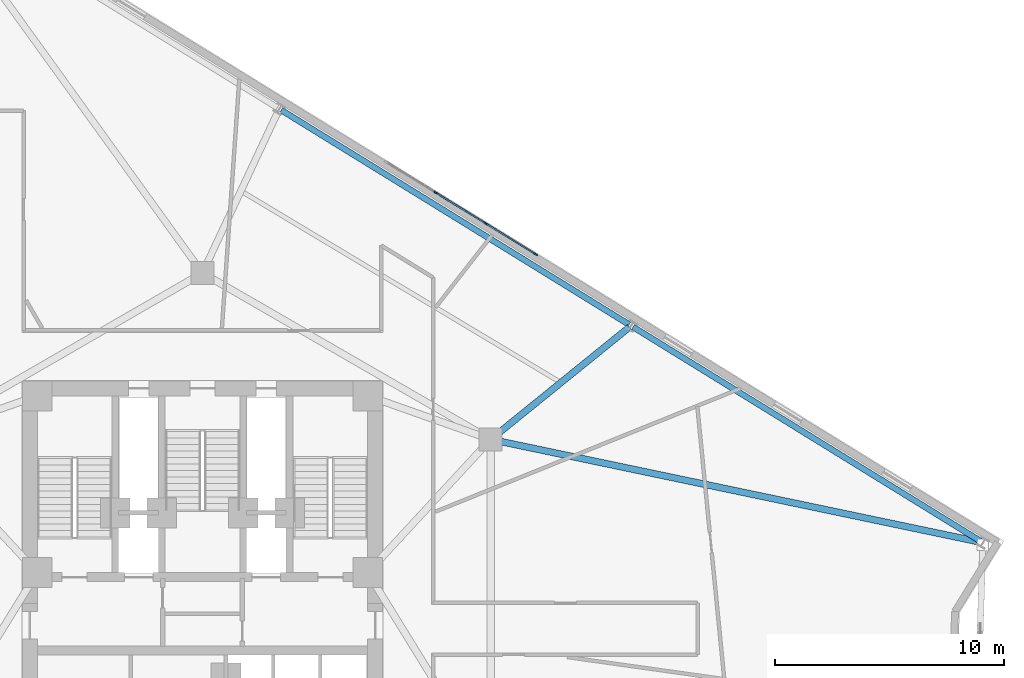
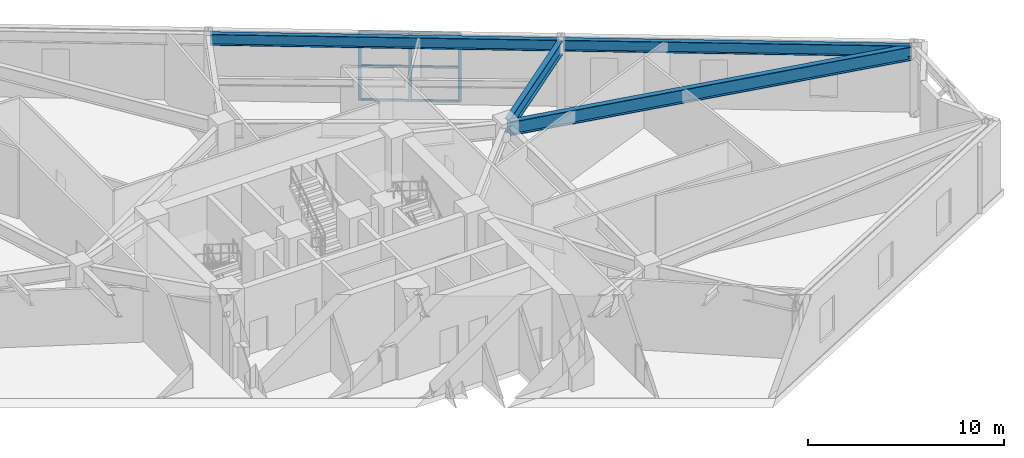
# One storey, part 11 of 22: 9 members, 4 beams, 1 element without a shape of its own.
"""IFC4 building model written with IfcOpenShell, lengths in metres."""

from ifc_helpers import new_model, si_unit, direction, frame, origin, origin_2d, place, context, subcontext, project, spatial, rectangle, i_section, extrude, material, layer, layer_set, material_profile, profile_set, type_object, element, aggregate, save


model = new_model("IFC4")

# Units and contexts
model_context = context("Model", 3, precision=1e-05, world=origin(), true_north=direction((0.0, 1.0)))
body_context = subcontext(model_context, "Body", "Model", "MODEL_VIEW")
ifc_project = project(units=[si_unit("LENGTHUNIT", "METRE"), si_unit("AREAUNIT", "SQUARE_METRE"), si_unit("VOLUMEUNIT", "CUBIC_METRE"), si_unit("PLANEANGLEUNIT", "RADIAN"), si_unit("MASSUNIT", "GRAM", prefix="KILO")], contexts=[model_context])

# Site, building, storey
site_placement = place(None, origin())
site = spatial("IfcSite", under=ifc_project, at=site_placement, CompositionType="ELEMENT")
building_placement = place(site_placement, origin())
building = spatial("IfcBuilding", under=site, at=building_placement, Name="Apsidion Concourse Tower", CompositionType="ELEMENT")
storey_placement = place(building_placement, frame((0.0, 0.0, 160.89990234375)))
storey = spatial("IfcBuildingStorey", under=building, at=storey_placement, Name="L37", CompositionType="ELEMENT", Elevation=160.89990234375)

# Beams
ifc_material_1 = material(Name="Structural steel ASTM A992 Grade 50", Category="steel")
ifc_material_profile_1 = material_profile(ifc_material_1, i_section(OverallWidth=0.2919921875, OverallDepth=0.85888671875, WebThickness=0.01708984375, FlangeThickness=0.031005859375, at=origin_2d()), Name="W33X169")
ifc_profile_set_1 = profile_set([ifc_material_profile_1], Name="Structural steel ASTM A992 Grade 50")
beam_type_1 = type_object("IfcBeamType", Name="BM-G-W33", PredefinedType="USERDEFINED", material=ifc_profile_set_1)
beam_1_placement = place(storey_placement, frame((12.775390625, 7.204833984375, 3.920654296875), z_axis=(0.978712115689, -0.20523789758, 0.0), x_axis=(0.20523789758, 0.978712115689, 0.0)))
element("IfcBeam", 1, at=beam_1_placement, inside=storey, type_object=beam_type_1, Name="L37 Radial Floor Girder RAD-09", ObjectType="GIRDER", PredefinedType="USERDEFINED", context=body_context, shape_type="SweptSolid", body=[
    extrude(i_section(OverallWidth=0.2919921875, OverallDepth=0.85888671875, WebThickness=0.01708984375, FlangeThickness=0.031005859375, at=origin_2d()), origin(), (0.0, 0.0, 1.0), 21.597412109375),
])
beam_2_placement = place(storey_placement, frame((12.73095703125, 7.388427734375, 3.920654296875), z_axis=(0.777235083984, 0.629210317958, 0.0), x_axis=(-0.629210317958, 0.777235083984, 0.0)))
element("IfcBeam", 2, at=beam_2_placement, inside=storey, type_object=beam_type_1, Name="L37 Radial Floor Girder RAD-10", ObjectType="GIRDER", PredefinedType="USERDEFINED", context=body_context, shape_type="SweptSolid", body=[
    extrude(i_section(OverallWidth=0.2919921875, OverallDepth=0.85888671875, WebThickness=0.01708984375, FlangeThickness=0.031005859375, at=origin_2d()), origin(), (0.0, 0.0, 1.0), 7.55224609375),
])
ifc_material_profile_2 = material_profile(ifc_material_1, i_section(OverallWidth=0.256103515625, OverallDepth=0.693115234375, WebThickness=0.014404296875, FlangeThickness=0.023681640625, at=origin_2d()), Name="W27X114")
ifc_profile_set_2 = profile_set([ifc_material_profile_2], Name="Structural steel ASTM A992 Grade 50")
beam_type_2 = type_object("IfcBeamType", Name="BM-SP-W27", PredefinedType="SPANDREL", material=ifc_profile_set_2)
for number, where, z_axis, x_axis, name in (
    (3, (33.92578125, 2.80419921875, 4.003662109375), (-0.851253326815, 0.524754965281, 0.0), (-0.524754965281, -0.851253326815, 0.0), "L37 Perimeter Spandrel Girder SP-09"),
    (4, (18.593505859375, 12.255859375, 4.003662109375), (-0.851253326815, 0.524754965281, 0.0), (-0.524754965281, -0.851253326815, 0.0), "L37 Perimeter Spandrel Girder SP-10"),
):
    element("IfcBeam", number, at=place(storey_placement, frame(where, z_axis=z_axis, x_axis=x_axis)), inside=storey, type_object=beam_type_2, Name=name, PredefinedType="SPANDREL", context=body_context, shape_type="SweptSolid", body=[
        extrude(i_section(OverallWidth=0.256103515625, OverallDepth=0.693115234375, WebThickness=0.014404296875, FlangeThickness=0.023681640625, at=origin_2d()), origin(), (0.0, 0.0, 1.0), 17.8115234375),
    ])

# Curtain wall, members
ifc_material_2 = material(Name="Insulated laminated low-E glass", Category="glass")
ifc_layer = layer(ifc_material_2, 0.2099609375)
ifc_layer_set = layer_set([ifc_layer], Name="Insulated laminated low-E glass")
curtain_wall_type = type_object("IfcCurtainWallType", Name="CW-SYS-03", PredefinedType="NOTDEFINED", material=ifc_layer_set)
curtain_wall_placement = place(storey_placement, origin())
curtain_wall = element("IfcCurtainWall", 5, at=curtain_wall_placement, inside=storey, type_object=curtain_wall_type, Name="L37 Sky Lobby Curtain Wall 1", PredefinedType="NOTDEFINED")
ifc_material_3 = material(Name="Anodised aluminium EN AW-6063 T6", Category="aluminium")
ifc_material_profile_3 = material_profile(ifc_material_3, rectangle(XDim=0.06494140625, YDim=0.179931640625, at=origin_2d()), Name="ALU MULLION 65x180")
ifc_profile_set_3 = profile_set([ifc_material_profile_3], Name="Anodised aluminium EN AW-6063 T6")
member_type_1 = type_object("IfcMemberType", Name="CWM-65X180", PredefinedType="MULLION", material=ifc_profile_set_3)
member_1_placement = place(storey_placement, frame((10.16748046875, 18.00244140625, 0.0), z_axis=(0.0, 0.0, 1.0), x_axis=(0.524891207008, 0.851169325579, 0.0)))
member_1 = element("IfcMember", 6, at=member_1_placement, type_object=member_type_1, Name="CW-03 mullion 2", PredefinedType="MULLION", context=body_context, shape_type="SweptSolid", body=[
    extrude(rectangle(XDim=0.06494140625, YDim=0.179931640625, at=origin_2d()), origin(), (0.0, 0.0, 1.0), 4.300048828125),
])
member_2_placement = place(storey_placement, frame((12.3564453125, 16.652587890625, 0.0), z_axis=(0.0, 0.0, 1.0), x_axis=(0.524891207008, 0.851169325579, 0.0)))
member_2 = element("IfcMember", 7, at=member_2_placement, type_object=member_type_1, Name="CW-03 mullion 3", PredefinedType="MULLION", context=body_context, shape_type="SweptSolid", body=[
    extrude(rectangle(XDim=0.06494140625, YDim=0.179931640625, at=origin_2d()), origin(), (0.0, 0.0, 1.0), 4.300048828125),
])
member_3_placement = place(storey_placement, frame((14.517822265625, 15.319580078125, 0.0), z_axis=(0.0, 0.0, 1.0), x_axis=(0.524891207008, 0.851169325579, 0.0)))
member_3 = element("IfcMember", 8, at=member_3_placement, type_object=member_type_1, Name="CW-03 mullion 4", PredefinedType="MULLION", context=body_context, shape_type="SweptSolid", body=[
    extrude(rectangle(XDim=0.06494140625, YDim=0.179931640625, at=origin_2d()), origin(), (0.0, 0.0, 1.0), 4.300048828125),
])
ifc_material_profile_4 = material_profile(ifc_material_3, rectangle(XDim=0.06494140625, YDim=0.139892578125, at=origin_2d()), Name="ALU TRANSOM 65x140")
ifc_profile_set_4 = profile_set([ifc_material_profile_4], Name="Anodised aluminium EN AW-6063 T6")
member_type_2 = type_object("IfcMemberType", Name="CWT-65X140", PredefinedType="USERDEFINED", material=ifc_profile_set_4)
member_4_placement = place(storey_placement, frame((10.195068359375, 17.9853515625, 0.03271484375), z_axis=(0.851199876094, -0.524841662731, 0.0), x_axis=(0.524841662731, 0.851199876094, 0.0)))
member_4 = element("IfcMember", 9, at=member_4_placement, type_object=member_type_2, Name="CW-03 transom 2.1", ObjectType="TRANSOM", PredefinedType="USERDEFINED", context=body_context, shape_type="SweptSolid", body=[
    extrude(rectangle(XDim=0.06494140625, YDim=0.139892578125, at=origin_2d()), origin(), (0.0, 0.0, 1.0), 2.5068359375),
])
member_5_placement = place(storey_placement, frame((10.195068359375, 17.9853515625, 2.150146484375), z_axis=(0.851199876094, -0.524841662731, 0.0), x_axis=(0.524841662731, 0.851199876094, 0.0)))
member_5 = element("IfcMember", 10, at=member_5_placement, type_object=member_type_2, Name="CW-03 transom 2.2", ObjectType="TRANSOM", PredefinedType="USERDEFINED", context=body_context, shape_type="SweptSolid", body=[
    extrude(rectangle(XDim=0.06494140625, YDim=0.139892578125, at=origin_2d()), origin(), (0.0, 0.0, 1.0), 2.5068359375),
])
member_6_placement = place(storey_placement, frame((10.195068359375, 17.9853515625, 4.267578125), z_axis=(0.851199876094, -0.524841662731, 0.0), x_axis=(0.524841662731, 0.851199876094, 0.0)))
member_6 = element("IfcMember", 11, at=member_6_placement, type_object=member_type_2, Name="CW-03 transom 2.3", ObjectType="TRANSOM", PredefinedType="USERDEFINED", context=body_context, shape_type="SweptSolid", body=[
    extrude(rectangle(XDim=0.06494140625, YDim=0.139892578125, at=origin_2d()), origin(), (0.0, 0.0, 1.0), 2.5068359375),
])
member_7_placement = place(storey_placement, frame((12.38427734375, 16.635498046875, 0.03271484375), z_axis=(0.851142948908, -0.5249339773, 0.0), x_axis=(0.5249339773, 0.851142948908, 0.0)))
member_7 = element("IfcMember", 12, at=member_7_placement, type_object=member_type_2, Name="CW-03 transom 3.1", ObjectType="TRANSOM", PredefinedType="USERDEFINED", context=body_context, shape_type="SweptSolid", body=[
    extrude(rectangle(XDim=0.06494140625, YDim=0.139892578125, at=origin_2d()), origin(), (0.0, 0.0, 1.0), 2.474365234375),
])
member_8_placement = place(storey_placement, frame((12.38427734375, 16.635498046875, 2.150146484375), z_axis=(0.851142948908, -0.5249339773, 0.0), x_axis=(0.5249339773, 0.851142948908, 0.0)))
member_8 = element("IfcMember", 13, at=member_8_placement, type_object=member_type_2, Name="CW-03 transom 3.2", ObjectType="TRANSOM", PredefinedType="USERDEFINED", context=body_context, shape_type="SweptSolid", body=[
    extrude(rectangle(XDim=0.06494140625, YDim=0.139892578125, at=origin_2d()), origin(), (0.0, 0.0, 1.0), 2.474365234375),
])
member_9_placement = place(storey_placement, frame((12.38427734375, 16.635498046875, 4.267578125), z_axis=(0.851142948908, -0.5249339773, 0.0), x_axis=(0.5249339773, 0.851142948908, 0.0)))
member_9 = element("IfcMember", 14, at=member_9_placement, type_object=member_type_2, Name="CW-03 transom 3.3", ObjectType="TRANSOM", PredefinedType="USERDEFINED", context=body_context, shape_type="SweptSolid", body=[
    extrude(rectangle(XDim=0.06494140625, YDim=0.139892578125, at=origin_2d()), origin(), (0.0, 0.0, 1.0), 2.474365234375),
])
aggregate(curtain_wall, [member_1, member_2, member_3, member_4, member_5, member_6, member_7, member_8, member_9])

save(model, "model.ifc")
